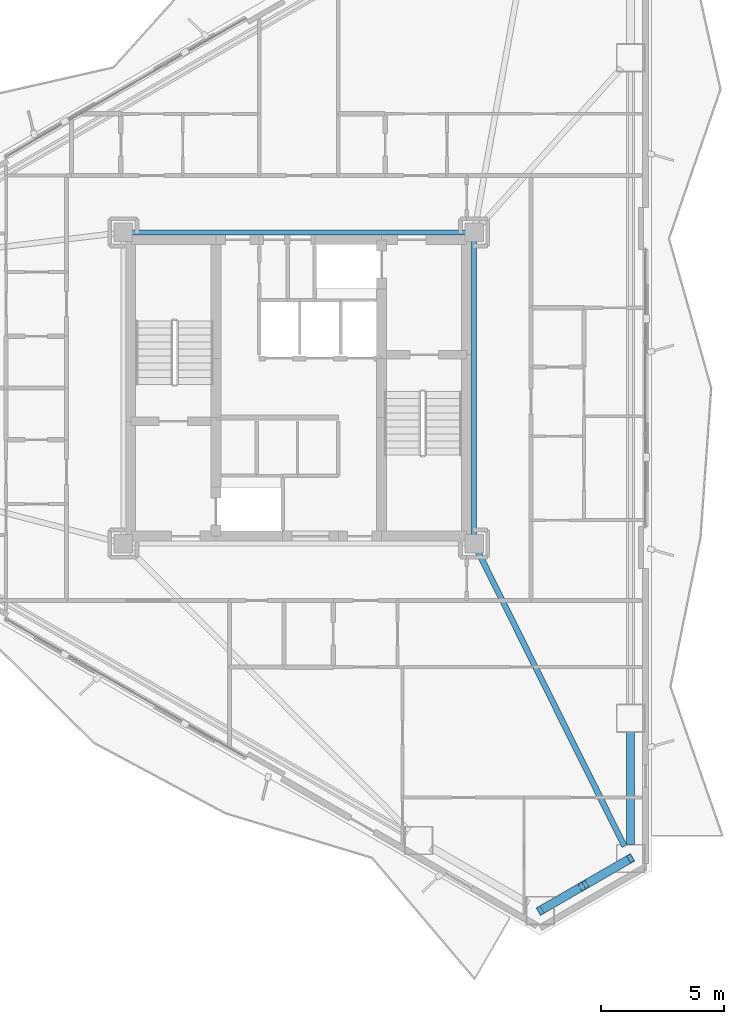
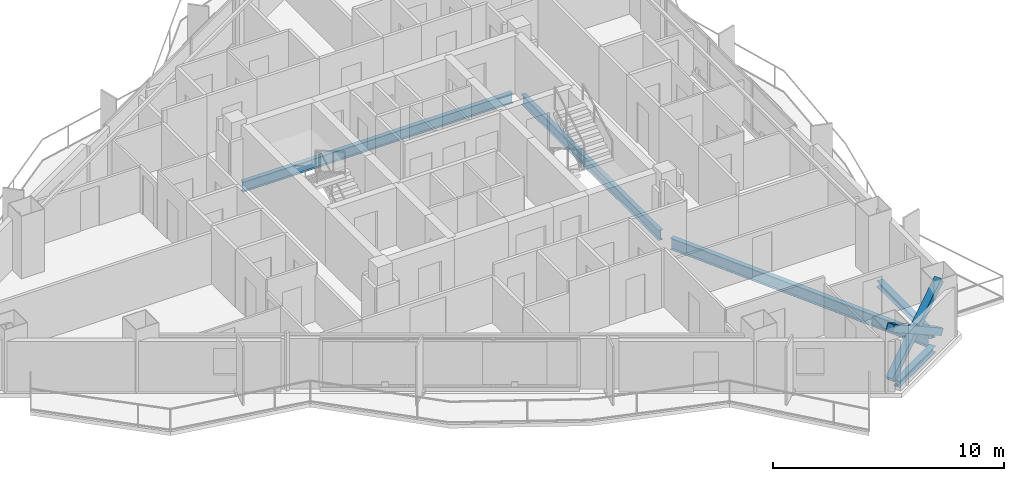
# One storey, part 7 of 23: 5 beams, 3 members.
"""IFC4 building model written with IfcOpenShell, lengths in metres."""

from ifc_helpers import new_model, si_unit, direction, frame, origin, origin_2d, place, context, subcontext, project, spatial, hollow_rectangle, i_section, extrude, material, material_profile, profile_set, type_object, element, save


model = new_model("IFC4")

# Units and contexts
model_context = context("Model", 3, precision=1e-05, world=origin(), true_north=direction((0.0, 1.0)))
body_context = subcontext(model_context, "Body", "Model", "MODEL_VIEW")
ifc_project = project(units=[si_unit("LENGTHUNIT", "METRE"), si_unit("AREAUNIT", "SQUARE_METRE"), si_unit("VOLUMEUNIT", "CUBIC_METRE"), si_unit("PLANEANGLEUNIT", "RADIAN"), si_unit("MASSUNIT", "GRAM", prefix="KILO")], contexts=[model_context])

# Site, building, storey
site_placement = place(None, origin())
site = spatial("IfcSite", under=ifc_project, at=site_placement, CompositionType="ELEMENT")
building_placement = place(site_placement, origin())
building = spatial("IfcBuilding", under=site, at=building_placement, Name="Mersakhor Tower and Convention Hall", CompositionType="ELEMENT")
storey_placement = place(building_placement, frame((0.0, 0.0, 106.5)))
storey = spatial("IfcBuildingStorey", under=building, at=storey_placement, Name="L29", CompositionType="ELEMENT", Elevation=106.5)

# Beams
ifc_material_1 = material(Name="Steel S355", Category="steel")
ifc_material_profile_1 = material_profile(ifc_material_1, i_section(OverallWidth=0.2099609375, OverallDepth=0.53662109375, WebThickness=0.0107421875, FlangeThickness=0.017333984375, at=origin_2d()), Name="UB 533x210x101")
ifc_profile_set_1 = profile_set([ifc_material_profile_1], Name="Steel S355")
beam_type_1 = type_object("IfcBeamType", Name="BM-FB-533", PredefinedType="BEAM", material=ifc_profile_set_1)
beam_1_placement = place(storey_placement, frame((22.2548828125, 33.050048828125, -0.518310546875), z_axis=(1.0, 0.0, 0.0), x_axis=(0.0, 1.0, 0.0)))
element("IfcBeam", 1, at=beam_1_placement, inside=storey, type_object=beam_type_1, Name="L29 Core Ring Tie Beam CRB-2", PredefinedType="BEAM", context=body_context, shape_type="SweptSolid", body=[
    extrude(i_section(OverallWidth=0.2099609375, OverallDepth=0.53662109375, WebThickness=0.0107421875, FlangeThickness=0.017333984375, at=origin_2d()), origin(), (0.0, 0.0, 1.0), 13.490234375),
])
beam_2_placement = place(storey_placement, frame((36.10009765625, 32.695068359375, -0.518310546875), z_axis=(0.0, -1.0, 0.0), x_axis=(1.0, 0.0, 0.0)))
element("IfcBeam", 2, at=beam_2_placement, inside=storey, type_object=beam_type_1, Name="L29 Core Ring Tie Beam CRB-3", PredefinedType="BEAM", context=body_context, shape_type="SweptSolid", body=[
    extrude(i_section(OverallWidth=0.2099609375, OverallDepth=0.53662109375, WebThickness=0.0107421875, FlangeThickness=0.017333984375, at=origin_2d()), origin(), (0.0, 0.0, 1.0), 11.89013671875),
])
ifc_material_2 = material(Name="Steel S355", Category="steel")
ifc_material_profile_2 = material_profile(ifc_material_2, i_section(OverallWidth=0.22900390625, OverallDepth=0.6123046875, WebThickness=0.011962890625, FlangeThickness=0.01953125, at=origin_2d()), Name="UB 610x229x125")
ifc_profile_set_2 = profile_set([ifc_material_profile_2], Name="Steel S355")
beam_type_2 = type_object("IfcBeamType", Name="BM-PR-610", PredefinedType="BEAM", material=ifc_profile_set_2)
beam_3_placement = place(storey_placement, frame((36.258056640625, 20.132080078125, -0.55615234375), z_axis=(0.444984263658, -0.895538388399, 0.0), x_axis=(0.895538388399, 0.444984263658, 0.0)))
element("IfcBeam", 3, at=beam_3_placement, inside=storey, type_object=beam_type_2, Name="L29 Primary Floor Girder FG-4", PredefinedType="BEAM", context=body_context, shape_type="SweptSolid", body=[
    extrude(i_section(OverallWidth=0.22900390625, OverallDepth=0.6123046875, WebThickness=0.011962890625, FlangeThickness=0.01953125, at=origin_2d()), origin(), (0.0, 0.0, 1.0), 13.324951171875),
])
ifc_material_3 = material(Name="Steel S355", Category="steel")
ifc_material_profile_3 = material_profile(ifc_material_3, i_section(OverallWidth=0.30908203125, OverallDepth=0.320556640625, WebThickness=0.013916015625, FlangeThickness=0.021728515625, at=origin_2d()), Name="UC 305x305x137")
ifc_profile_set_3 = profile_set([ifc_material_profile_3], Name="Steel S355")
beam_type_3 = type_object("IfcBeamType", Name="BM-SPD-UC305", PredefinedType="SPANDREL", material=ifc_profile_set_3)
beam_4_placement = place(storey_placement, frame((42.4345703125, 12.8232421875, -0.410400390625), z_axis=(0.0, -1.0, 0.0), x_axis=(1.0, 0.0, 0.0)))
element("IfcBeam", 4, at=beam_4_placement, inside=storey, type_object=beam_type_3, Name="L29 Perimeter Spandrel Beam SPB-07", PredefinedType="SPANDREL", context=body_context, shape_type="SweptSolid", body=[
    extrude(i_section(OverallWidth=0.30908203125, OverallDepth=0.320556640625, WebThickness=0.013916015625, FlangeThickness=0.021728515625, at=origin_2d()), origin(), (0.0, 0.0, 1.0), 4.566162109375),
])
beam_5_placement = place(storey_placement, frame((41.9541015625, 7.424560546875, -0.410400390625), z_axis=(-0.866052319632, -0.499953377486, 0.0), x_axis=(0.499953377486, -0.866052319632, 0.0)))
element("IfcBeam", 5, at=beam_5_placement, inside=storey, type_object=beam_type_3, Name="L29 Perimeter Spandrel Beam SPB-08", PredefinedType="SPANDREL", context=body_context, shape_type="SweptSolid", body=[
    extrude(i_section(OverallWidth=0.30908203125, OverallDepth=0.320556640625, WebThickness=0.013916015625, FlangeThickness=0.021728515625, at=origin_2d()), origin(), (0.0, 0.0, 1.0), 3.111572265625),
])

# Members
ifc_material_4 = material(Name="Steel S460", Category="steel")
ifc_material_profile_4 = material_profile(ifc_material_4, hollow_rectangle(XDim=0.35009765625, YDim=0.35009765625, WallThickness=0.02001953125, at=origin_2d()), Name="SHS 350x350x20")
ifc_profile_set_4 = profile_set([ifc_material_profile_4], Name="Steel S460")
member_type = type_object("IfcMemberType", Name="MB-BRC-SHS350", PredefinedType="BRACE", material=ifc_profile_set_4)
member_placement = place(storey_placement, frame((42.4345703125, 7.701904296875, 0.14990234375), z_axis=(-0.725633725484, -0.418933054415, 0.545848689986), x_axis=(0.49998946241, -0.866031487579, 0.0)))
element("IfcMember", 6, at=member_placement, inside=storey, type_object=member_type, Name="L29 Chamfer Braced Frame Diagonal CB-2A", PredefinedType="BRACE", context=body_context, shape_type="SweptSolid", body=[
    extrude(hollow_rectangle(XDim=0.35009765625, YDim=0.35009765625, WallThickness=0.02001953125, at=origin_2d()), origin(), (0.0, 0.0, 1.0), 5.0380859375),
])
for number, where, z_axis, x_axis, name in (
    (7, (38.77880859375, 5.59130859375, 0.14990234375), (0.725593346201, 0.41889491121, 0.545931634283), (-0.499976186015, 0.866039152359, 0.0), "L29 Chamfer Braced Frame Diagonal CB-2B Lower Half"),
    (8, (40.751220703125, 6.730224609375, 1.6337890625), (0.725684866011, 0.418886985747, 0.545816057307), (-0.499921796684, 0.866070549782, 0.0), "L29 Chamfer Braced Frame Diagonal CB-2B Upper Half"),
):
    element("IfcMember", number, at=place(storey_placement, frame(where, z_axis=z_axis, x_axis=x_axis)), inside=storey, type_object=member_type, Name=name, PredefinedType="BRACE", context=body_context, shape_type="SweptSolid", body=[
        extrude(hollow_rectangle(XDim=0.35009765625, YDim=0.35009765625, WallThickness=0.02001953125, at=origin_2d()), origin(), (0.0, 0.0, 1.0), 2.319580078125),
    ])

save(model, "model.ifc")
